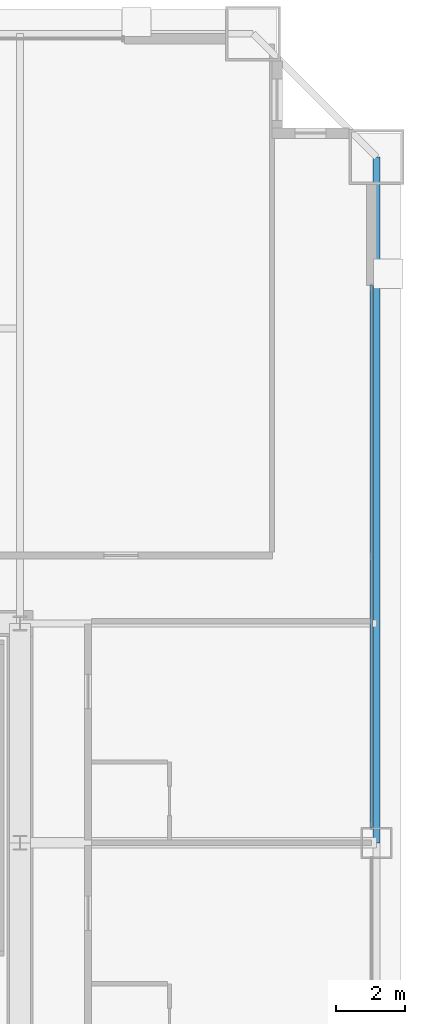
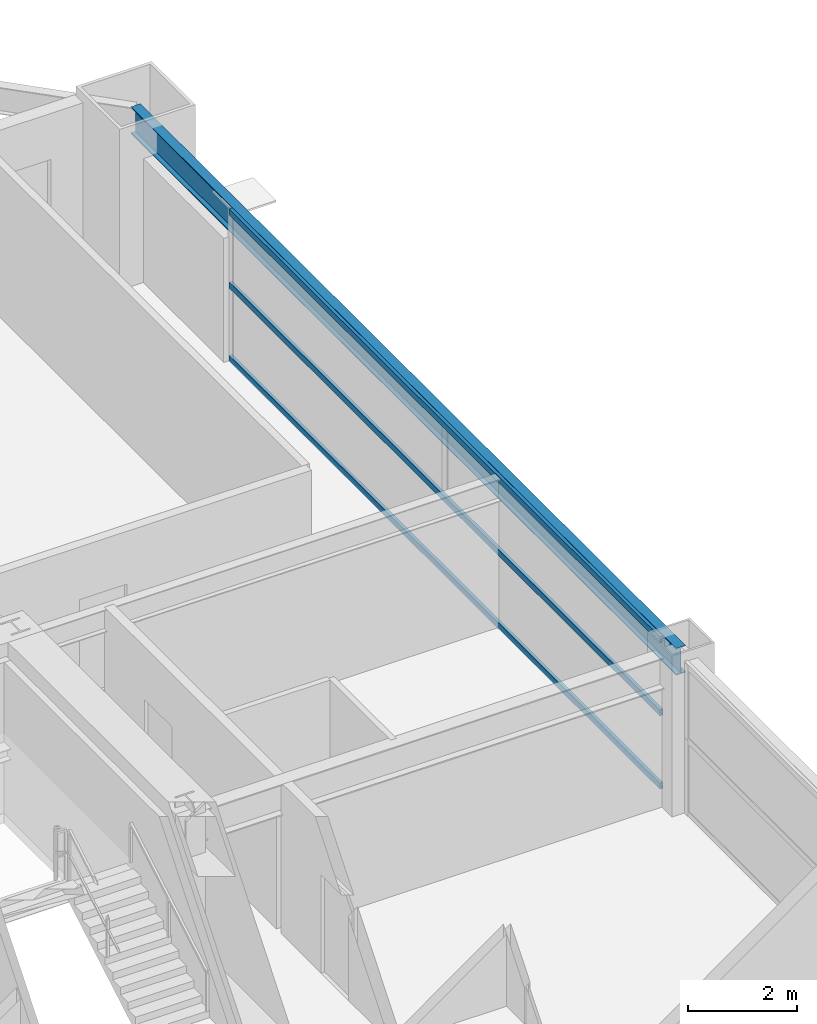
# One storey, part 29 of 38: 3 members, 1 beam, 1 element without a shape of its own.
"""IFC4 building model written with IfcOpenShell, lengths in metres."""

from ifc_helpers import new_model, si_unit, direction, frame, origin, origin_2d, place, context, subcontext, project, spatial, hollow_rectangle, i_section, extrude, source, transform, mapped, material, layer, layer_set, material_profile, profile_set, type_object, element, aggregate, save


model = new_model("IFC4")

# Units and contexts
model_context = context("Model", 3, precision=1e-05, world=origin(), true_north=direction((0.0, 1.0)))
body_context = subcontext(model_context, "Body", "Model", "MODEL_VIEW")
ifc_project = project(units=[si_unit("LENGTHUNIT", "METRE"), si_unit("AREAUNIT", "SQUARE_METRE"), si_unit("VOLUMEUNIT", "CUBIC_METRE"), si_unit("PLANEANGLEUNIT", "RADIAN"), si_unit("MASSUNIT", "GRAM", prefix="KILO"), si_unit("THERMODYNAMICTEMPERATUREUNIT", "KELVIN"), si_unit("POWERUNIT", "WATT")], contexts=[model_context])

# Site, building, storey
site_placement = place(None, origin())
site = spatial("IfcSite", under=ifc_project, at=site_placement, CompositionType="ELEMENT")
building_placement = place(site_placement, origin())
building = spatial("IfcBuilding", under=site, at=building_placement, Name="Yuzanri Waterfront Tower", CompositionType="ELEMENT")
storey_placement = place(building_placement, frame((0.0, 0.0, 111.800048828125)))
storey = spatial("IfcBuildingStorey", under=building, at=storey_placement, Name="L29", CompositionType="ELEMENT", Elevation=111.800048828125)

# Beam
ifc_material_1 = material(Name="Steel Q355B", Category="steel")
ifc_material_profile_1 = material_profile(ifc_material_1, i_section(OverallWidth=0.199951171875, OverallDepth=0.60009765625, WebThickness=0.010986328125, FlangeThickness=0.01708984375, at=origin_2d()), Name="HN 600x200x11x17")
ifc_profile_set_1 = profile_set([ifc_material_profile_1], Name="Steel Q355B")
beam_type = type_object("IfcBeamType", Name="Perimeter Spandrel Q355B HN 600x200", PredefinedType="SPANDREL", material=ifc_profile_set_1)
shared_shape_1 = source(origin(), body_context, "Body", "SweptSolid", [
    extrude(i_section(OverallWidth=0.199951171875, OverallDepth=0.60009765625, WebThickness=0.010986328125, FlangeThickness=0.01708984375, at=origin_2d()), origin(), (0.0, 0.0, 1.0), 20.0),
])
beam_placement = place(storey_placement, frame((60.60009765625, 25.800048828125, 3.079833984375), z_axis=(0.0, 1.0, 0.0), x_axis=(-1.0, 0.0, 0.0)))
element("IfcBeam", 1, at=beam_placement, inside=storey, type_object=beam_type, Name="L29 Perimeter Spandrel E2-E3", PredefinedType="SPANDREL", context=body_context, shape_type="MappedRepresentation", body=[
    mapped(shared_shape_1, transform((0.0, 0.0, 0.0), scale=1.0)),
])

# Curtain wall, members
ifc_material_2 = material(Name="Anodized Architectural Bronze", Category="metal")
ifc_layer = layer(ifc_material_2, 0.159912109375)
ifc_layer_set = layer_set([ifc_layer], Name="Anodized Architectural Bronze")
curtain_wall_type = type_object("IfcCurtainWallType", Name="Anodized Bronze Hotel Upper-Tier Solar-Control Unitized Curtain Wall 7800", PredefinedType="NOTDEFINED", material=ifc_layer_set)
curtain_wall_placement = place(storey_placement, origin())
curtain_wall = element("IfcCurtainWall", 2, at=curtain_wall_placement, inside=storey, type_object=curtain_wall_type, Name="L29 Curtain Wall CW-L29-ER", PredefinedType="NOTDEFINED")
ifc_material_3 = material(Name="Anodized Architectural Bronze", Category="metal")
ifc_material_profile_2 = material_profile(ifc_material_3, hollow_rectangle(XDim=0.070068359375, YDim=0.135009765625, WallThickness=0.00341796875, at=origin_2d()), Name="CWT 70x135")
ifc_profile_set_2 = profile_set([ifc_material_profile_2], Name="Anodized Architectural Bronze")
member_type = type_object("IfcMemberType", Name="Anodized Bronze Standard Curtain-Wall Transom 70x135", PredefinedType="USERDEFINED", material=ifc_profile_set_2)
shared_shape_2 = source(origin(), body_context, "Body", "SweptSolid", [
    extrude(hollow_rectangle(XDim=0.070068359375, YDim=0.135009765625, WallThickness=0.00341796875, at=origin_2d()), origin(), (0.0, 0.0, 1.0), 15.800048828125),
])
member_1_placement = place(storey_placement, frame((60.449951171875, 26.25, 0.050048828125), z_axis=(0.0, 1.0, 0.0), x_axis=(-1.0, 0.0, 0.0)))
member_1 = element("IfcMember", 3, at=member_1_placement, type_object=member_type, Name="CW-L29-ER Transom 1", ObjectType="TRANSOM", PredefinedType="USERDEFINED", context=body_context, shape_type="MappedRepresentation", body=[
    mapped(shared_shape_2, transform((0.0, 0.0, 0.0), scale=1.0)),
])
member_2_placement = place(storey_placement, frame((60.449951171875, 26.25, 1.68994140625), z_axis=(0.0, 1.0, 0.0), x_axis=(-1.0, 0.0, 0.0)))
member_2 = element("IfcMember", 4, at=member_2_placement, type_object=member_type, Name="CW-L29-ER Transom 2", ObjectType="TRANSOM", PredefinedType="USERDEFINED", context=body_context, shape_type="MappedRepresentation", body=[
    mapped(shared_shape_2, transform((0.0, 0.0, 0.0), scale=1.0)),
])
member_3_placement = place(storey_placement, frame((60.449951171875, 26.25, 3.329833984375), z_axis=(0.0, 1.0, 0.0), x_axis=(-1.0, 0.0, 0.0)))
member_3 = element("IfcMember", 5, at=member_3_placement, type_object=member_type, Name="CW-L29-ER Transom 3", ObjectType="TRANSOM", PredefinedType="USERDEFINED", context=body_context, shape_type="MappedRepresentation", body=[
    mapped(shared_shape_2, transform((0.0, 0.0, 0.0), scale=1.0)),
])
aggregate(curtain_wall, [member_1, member_2, member_3])

save(model, "model.ifc")
